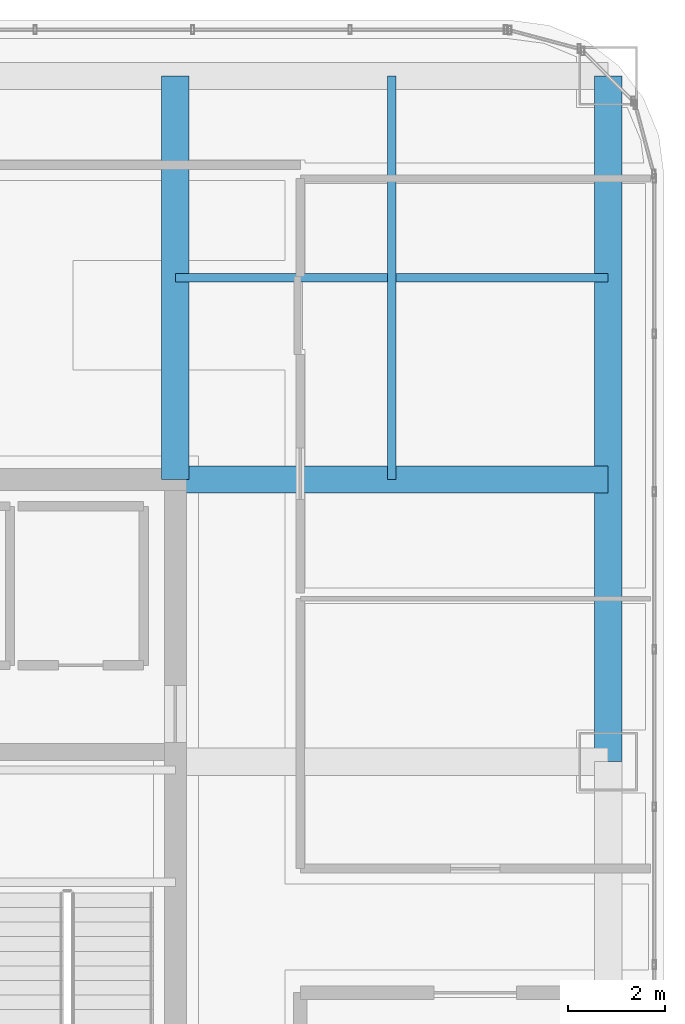
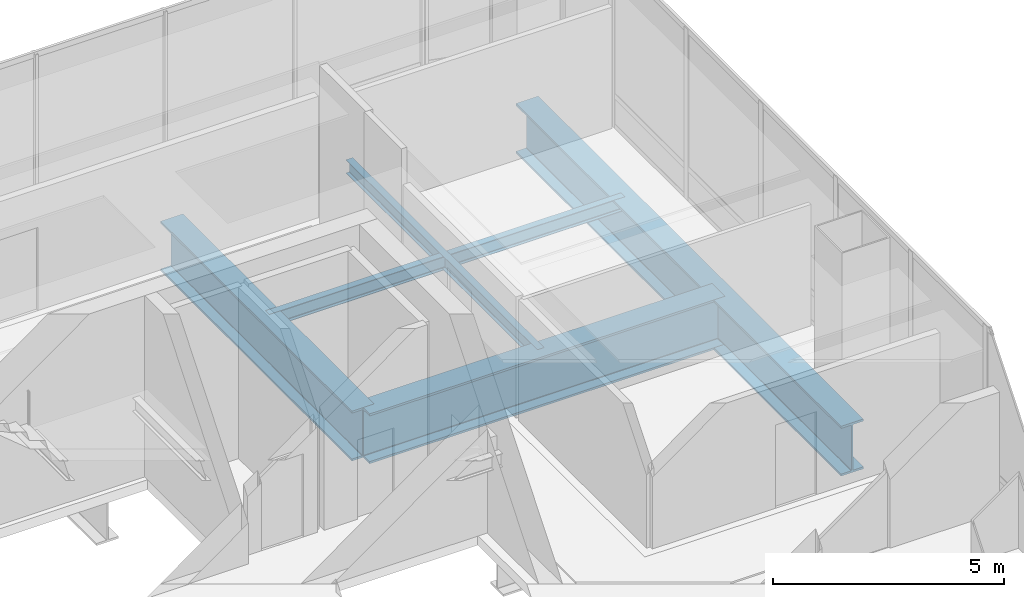
# One storey, part 30 of 44: 5 beams.
"""IFC4 building model written with IfcOpenShell, lengths in metres."""

from ifc_helpers import new_model, si_unit, direction, frame, origin, origin_2d, place, context, subcontext, project, spatial, i_section, extrude, material, material_profile, profile_set, type_object, element, save


model = new_model("IFC4")

# Units and contexts
model_context = context("Model", 3, precision=1e-05, world=origin(), true_north=direction((0.0, 1.0)))
body_context = subcontext(model_context, "Body", "Model", "MODEL_VIEW")
ifc_project = project(units=[si_unit("LENGTHUNIT", "METRE"), si_unit("AREAUNIT", "SQUARE_METRE"), si_unit("VOLUMEUNIT", "CUBIC_METRE"), si_unit("PLANEANGLEUNIT", "RADIAN"), si_unit("MASSUNIT", "GRAM", prefix="KILO")], contexts=[model_context])

# Site, building, storey
site_placement = place(None, origin())
site = spatial("IfcSite", under=ifc_project, at=site_placement, CompositionType="ELEMENT")
building_placement = place(site_placement, origin())
building = spatial("IfcBuilding", under=site, at=building_placement, Name="Punatoya Terracotta Tower", CompositionType="ELEMENT")
storey_placement = place(building_placement, frame((0.0, 0.0, 334.199951171875)))
storey = spatial("IfcBuildingStorey", under=building, at=storey_placement, Name="L79", CompositionType="ELEMENT", Elevation=334.199951171875)

# Beams
ifc_material_1 = material(Name="Steel S355", Category="steel")
ifc_material_profile_1 = material_profile(ifc_material_1, i_section(OverallWidth=0.169921875, OverallDepth=0.360107421875, WebThickness=0.008056640625, FlangeThickness=0.0126953125, FilletRadius=0.01806640625, at=origin_2d()))
ifc_profile_set_1 = profile_set([ifc_material_profile_1], Name="Steel S355")
beam_type_1 = type_object("IfcBeamType", Name="BM-SEC-360", PredefinedType="JOIST", material=ifc_profile_set_1)
beam_1_placement = place(storey_placement, frame((10.199951171875, 13.35009765625, -0.43994140625), z_axis=(1.0, 0.0, 0.0), x_axis=(0.0, 1.0, 0.0)))
element("IfcBeam", 1, at=beam_1_placement, inside=storey, type_object=beam_type_1, Name="BM-L79-SJN-2", PredefinedType="JOIST", context=body_context, shape_type="SweptSolid", body=[
    extrude(i_section(OverallWidth=0.169921875, OverallDepth=0.360107421875, WebThickness=0.008056640625, FlangeThickness=0.0126953125, FilletRadius=0.01806640625, at=origin_2d()), origin(), (0.0, 0.0, 1.0), 8.900146484375),
])
beam_2_placement = place(storey_placement, frame((14.64990234375, 9.199951171875, -0.43994140625), z_axis=(0.0, 1.0, 0.0), x_axis=(-1.0, 0.0, 0.0)))
element("IfcBeam", 2, at=beam_2_placement, inside=storey, type_object=beam_type_1, Name="BM-L79-SJE-2", PredefinedType="JOIST", context=body_context, shape_type="SweptSolid", body=[
    extrude(i_section(OverallWidth=0.169921875, OverallDepth=0.360107421875, WebThickness=0.008056640625, FlangeThickness=0.0126953125, FilletRadius=0.01806640625, at=origin_2d()), origin(), (0.0, 0.0, 1.0), 8.300048828125),
])
ifc_material_2 = material(Name="Steel S460", Category="steel")
ifc_material_profile_2 = material_profile(ifc_material_2, i_section(OverallWidth=0.56005859375, OverallDepth=1.320068359375, WebThickness=0.035888671875, FlangeThickness=0.054931640625, FilletRadius=0.01806640625, at=origin_2d()))
ifc_profile_set_2 = profile_set([ifc_material_profile_2], Name="Steel S460")
beam_type_2 = type_object("IfcBeamType", Name="BM-TG-BLK", PredefinedType="BEAM", material=ifc_profile_set_2)
beam_3_placement = place(storey_placement, frame((19.10009765625, 3.39990234375, -0.919921875), z_axis=(0.0, 1.0, 0.0), x_axis=(-1.0, 0.0, 0.0)))
element("IfcBeam", 3, at=beam_3_placement, inside=storey, type_object=beam_type_2, Name="BM-L79-RG-E3", PredefinedType="BEAM", context=body_context, shape_type="SweptSolid", body=[
    extrude(i_section(OverallWidth=0.56005859375, OverallDepth=1.320068359375, WebThickness=0.035888671875, FlangeThickness=0.054931640625, FilletRadius=0.01806640625, at=origin_2d()), origin(), (0.0, 0.0, 1.0), 14.10009765625),
])
beam_4_placement = place(storey_placement, frame((10.199951171875, 9.199951171875, -0.919921875), z_axis=(1.0, 0.0, 0.0), x_axis=(0.0, 1.0, 0.0)))
element("IfcBeam", 4, at=beam_4_placement, inside=storey, type_object=beam_type_2, Name="BM-L79-PR-EN", PredefinedType="BEAM", context=body_context, shape_type="SweptSolid", body=[
    extrude(i_section(OverallWidth=0.56005859375, OverallDepth=1.320068359375, WebThickness=0.035888671875, FlangeThickness=0.054931640625, FilletRadius=0.01806640625, at=origin_2d()), origin(), (0.0, 0.0, 1.0), 8.900146484375),
])
beam_5_placement = place(storey_placement, frame((10.199951171875, 9.199951171875, -0.919921875), z_axis=(0.0, 1.0, 0.0), x_axis=(-1.0, 0.0, 0.0)))
element("IfcBeam", 5, at=beam_5_placement, inside=storey, type_object=beam_type_2, Name="BM-L79-PR-N4", PredefinedType="BEAM", context=body_context, shape_type="SweptSolid", body=[
    extrude(i_section(OverallWidth=0.56005859375, OverallDepth=1.320068359375, WebThickness=0.035888671875, FlangeThickness=0.054931640625, FilletRadius=0.01806640625, at=origin_2d()), origin(), (0.0, 0.0, 1.0), 8.300048828125),
])

save(model, "model.ifc")
